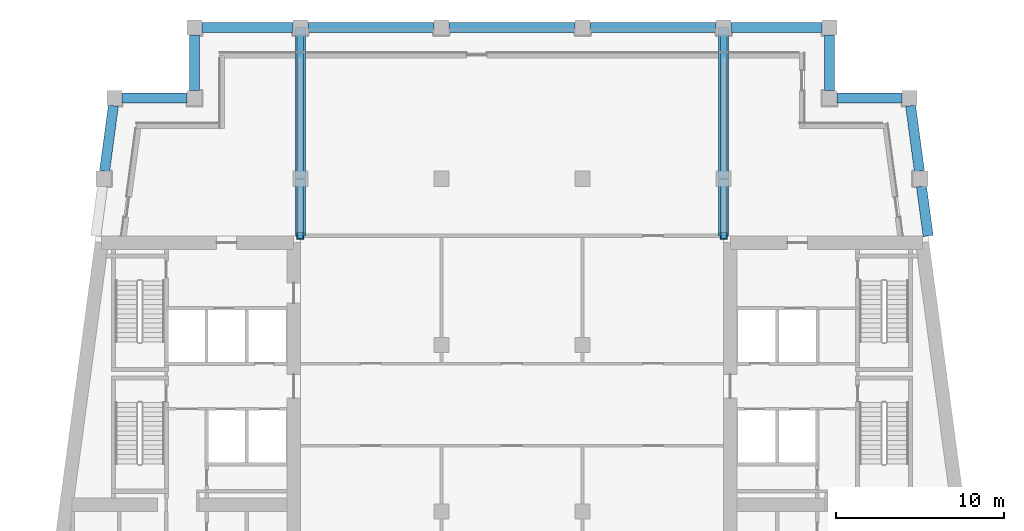
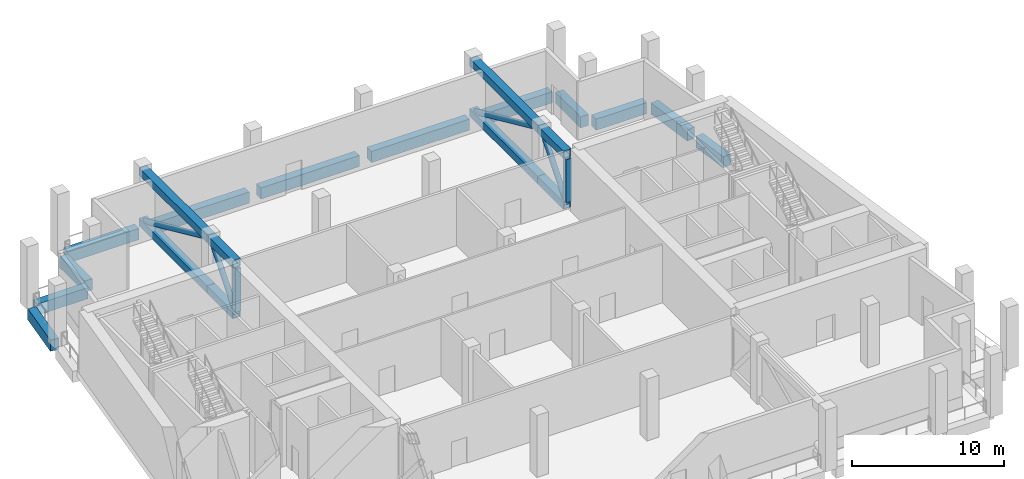
# One storey, part 3 of 11: 14 members, 12 beams.
"""IFC4 building model written with IfcOpenShell, lengths in metres."""

from ifc_helpers import new_model, si_unit, direction, frame, origin, origin_2d, place, context, subcontext, project, spatial, rectangle, hollow_rectangle, hollow_circle, extrude, material, material_profile, profile_set, type_object, element, save


model = new_model("IFC4")

# Units and contexts
model_context = context("Model", 3, precision=1e-05, world=origin(), true_north=direction((0.0, 1.0)))
body_context = subcontext(model_context, "Body", "Model", "MODEL_VIEW")
ifc_project = project(units=[si_unit("LENGTHUNIT", "METRE"), si_unit("AREAUNIT", "SQUARE_METRE"), si_unit("VOLUMEUNIT", "CUBIC_METRE"), si_unit("PLANEANGLEUNIT", "RADIAN"), si_unit("MASSUNIT", "GRAM", prefix="KILO")], contexts=[model_context])

# Site, building, storey
site_placement = place(None, origin())
site = spatial("IfcSite", under=ifc_project, at=site_placement, CompositionType="ELEMENT")
building_placement = place(site_placement, origin())
building = spatial("IfcBuilding", under=site, at=building_placement, Name="Candeia Pilgrim Tower and Theatre", CompositionType="ELEMENT")
storey_placement = place(building_placement, frame((0.0, 0.0, 254.0)))
storey = spatial("IfcBuildingStorey", under=building, at=storey_placement, Name="L61", CompositionType="ELEMENT", Elevation=254.0)

# Members
ifc_material_1 = material(Name="Structural steel ASTM A572 Grade 50", Category="steel")
ifc_material_profile_1 = material_profile(ifc_material_1, hollow_rectangle(XDim=0.39990234375, YDim=0.39990234375, WallThickness=0.02490234375, at=origin_2d()))
ifc_profile_set_1 = profile_set([ifc_material_profile_1], Name="Structural steel ASTM A572 Grade 50")
member_type_1 = type_object("IfcMemberType", Name="BOX 400x400x25 post", PredefinedType="POST", material=ifc_profile_set_1)
for number, where, z_axis, x_axis, name in (
    (1, (100.800048828125, 132.39990234375, 0.60009765625), (0.0, 0.0, 1.0), (1.0, 0.0, 0.0), "Outrigger truss post TO2NL61"),
    (2, (126.0, 132.39990234375, 0.60009765625), (0.0, 0.0, 1.0), (1.0, 0.0, 0.0), "Outrigger truss post TO5NL61"),
):
    element("IfcMember", number, at=place(storey_placement, frame(where, z_axis=z_axis, x_axis=x_axis)), inside=storey, type_object=member_type_1, Name=name, PredefinedType="POST", context=body_context, shape_type="SweptSolid", body=[
        extrude(hollow_rectangle(XDim=0.39990234375, YDim=0.39990234375, WallThickness=0.02490234375, at=origin_2d()), origin(), (0.0, 0.0, 1.0), 3.47998046875),
    ])
ifc_material_profile_2 = material_profile(ifc_material_1, hollow_rectangle(XDim=0.60009765625, YDim=0.60009765625, WallThickness=0.0400390625, at=origin_2d()))
ifc_profile_set_2 = profile_set([ifc_material_profile_2], Name="Structural steel ASTM A572 Grade 50")
member_type_2 = type_object("IfcMemberType", Name="BOX 600x600x40 chord", PredefinedType="CHORD", material=ifc_profile_set_2)
for number, where, z_axis, x_axis, name in (
    (3, (100.800048828125, 132.39990234375, 0.300048828125), (0.0, 1.0, 0.0), (-1.0, 0.0, 0.0), "Outrigger truss bottom chord TO2NL61"),
    (4, (100.800048828125, 132.39990234375, 4.3798828125), (0.0, 1.0, 0.0), (-1.0, 0.0, 0.0), "Outrigger truss top chord TO2NL61"),
):
    element("IfcMember", number, at=place(storey_placement, frame(where, z_axis=z_axis, x_axis=x_axis)), inside=storey, type_object=member_type_2, Name=name, PredefinedType="CHORD", context=body_context, shape_type="SweptSolid", body=[
        extrude(hollow_rectangle(XDim=0.60009765625, YDim=0.60009765625, WallThickness=0.0400390625, at=origin_2d()), origin(), (0.0, 0.0, 1.0), 3.400146484375),
    ])
for number, where, z_axis, x_axis, name in (
    (5, (100.800048828125, 135.800048828125, 0.300048828125), (0.0, 1.0, 0.0), (-1.0, 0.0, 0.0), "Outrigger truss bottom chord TO2NL61"),
    (6, (100.800048828125, 135.800048828125, 4.3798828125), (0.0, 1.0, 0.0), (-1.0, 0.0, 0.0), "Outrigger truss top chord TO2NL61"),
):
    element("IfcMember", number, at=place(storey_placement, frame(where, z_axis=z_axis, x_axis=x_axis)), inside=storey, type_object=member_type_2, Name=name, PredefinedType="CHORD", context=body_context, shape_type="SweptSolid", body=[
        extrude(hollow_rectangle(XDim=0.60009765625, YDim=0.60009765625, WallThickness=0.0400390625, at=origin_2d()), origin(), (0.0, 0.0, 1.0), 9.0),
    ])
for number, where, z_axis, x_axis, name in (
    (7, (126.0, 132.39990234375, 0.300048828125), (0.0, 1.0, 0.0), (-1.0, 0.0, 0.0), "Outrigger truss bottom chord TO5NL61"),
    (8, (126.0, 132.39990234375, 4.3798828125), (0.0, 1.0, 0.0), (-1.0, 0.0, 0.0), "Outrigger truss top chord TO5NL61"),
):
    element("IfcMember", number, at=place(storey_placement, frame(where, z_axis=z_axis, x_axis=x_axis)), inside=storey, type_object=member_type_2, Name=name, PredefinedType="CHORD", context=body_context, shape_type="SweptSolid", body=[
        extrude(hollow_rectangle(XDim=0.60009765625, YDim=0.60009765625, WallThickness=0.0400390625, at=origin_2d()), origin(), (0.0, 0.0, 1.0), 3.400146484375),
    ])
for number, where, z_axis, x_axis, name in (
    (9, (126.0, 135.800048828125, 0.300048828125), (0.0, 1.0, 0.0), (-1.0, 0.0, 0.0), "Outrigger truss bottom chord TO5NL61"),
    (10, (126.0, 135.800048828125, 4.3798828125), (0.0, 1.0, 0.0), (-1.0, 0.0, 0.0), "Outrigger truss top chord TO5NL61"),
):
    element("IfcMember", number, at=place(storey_placement, frame(where, z_axis=z_axis, x_axis=x_axis)), inside=storey, type_object=member_type_2, Name=name, PredefinedType="CHORD", context=body_context, shape_type="SweptSolid", body=[
        extrude(hollow_rectangle(XDim=0.60009765625, YDim=0.60009765625, WallThickness=0.0400390625, at=origin_2d()), origin(), (0.0, 0.0, 1.0), 9.0),
    ])
ifc_material_profile_3 = material_profile(ifc_material_1, hollow_circle(Radius=0.203125, WallThickness=0.01611328125, at=origin_2d()))
ifc_profile_set_3 = profile_set([ifc_material_profile_3], Name="Structural steel ASTM A572 Grade 50")
member_type_3 = type_object("IfcMemberType", Name="CHS 406x16 brace", PredefinedType="BRACE", material=ifc_profile_set_3)
member_1_placement = place(storey_placement, frame((100.800048828125, 132.39990234375, 0.300048828125), z_axis=(0.0, 0.640216050194, 0.768194903051), x_axis=(-1.0, 0.0, 0.0)))
element("IfcMember", 11, at=member_1_placement, inside=storey, type_object=member_type_3, Name="Outrigger truss diagonal TO2NL61", PredefinedType="BRACE", context=body_context, shape_type="SweptSolid", body=[
    extrude(hollow_circle(Radius=0.203125, WallThickness=0.01611328125, at=origin_2d()), origin(), (0.0, 0.0, 1.0), 5.31103515625),
])
member_2_placement = place(storey_placement, frame((100.800048828125, 144.800048828125, 0.300048828125), z_axis=(0.0, -0.910788217597, 0.41287385808), x_axis=(1.0, 0.0, 0.0)))
element("IfcMember", 12, at=member_2_placement, inside=storey, type_object=member_type_3, Name="Outrigger truss diagonal TO2NL61", PredefinedType="BRACE", context=body_context, shape_type="SweptSolid", body=[
    extrude(hollow_circle(Radius=0.203125, WallThickness=0.01611328125, at=origin_2d()), origin(), (0.0, 0.0, 1.0), 9.881591796875),
])
member_3_placement = place(storey_placement, frame((126.0, 132.39990234375, 0.300048828125), z_axis=(0.0, 0.640216050194, 0.768194903051), x_axis=(-1.0, 0.0, 0.0)))
element("IfcMember", 13, at=member_3_placement, inside=storey, type_object=member_type_3, Name="Outrigger truss diagonal TO5NL61", PredefinedType="BRACE", context=body_context, shape_type="SweptSolid", body=[
    extrude(hollow_circle(Radius=0.203125, WallThickness=0.01611328125, at=origin_2d()), origin(), (0.0, 0.0, 1.0), 5.31103515625),
])
member_4_placement = place(storey_placement, frame((126.0, 144.800048828125, 0.300048828125), z_axis=(0.0, -0.910788217597, 0.41287385808), x_axis=(1.0, 0.0, 0.0)))
element("IfcMember", 14, at=member_4_placement, inside=storey, type_object=member_type_3, Name="Outrigger truss diagonal TO5NL61", PredefinedType="BRACE", context=body_context, shape_type="SweptSolid", body=[
    extrude(hollow_circle(Radius=0.203125, WallThickness=0.01611328125, at=origin_2d()), origin(), (0.0, 0.0, 1.0), 9.881591796875),
])

# Beams
ifc_material_2 = material(Name="Concrete C50/60", Category="concrete")
ifc_material_profile_4 = material_profile(ifc_material_2, rectangle(XDim=0.60009765625, YDim=0.89990234375, at=origin_2d()))
ifc_profile_set_4 = profile_set([ifc_material_profile_4], Name="Concrete C50/60")
beam_type = type_object("IfcBeamType", Name="RC 600x900 C50/60", PredefinedType="BEAM", material=ifc_profile_set_4)
beam_1_placement = place(storey_placement, frame((138.169189453125, 132.39990234375, -0.449951171875), z_axis=(-0.133356242983, 0.991068167412, 0.0), x_axis=(-0.991068167412, -0.133356242983, 0.0)))
element("IfcBeam", 15, at=beam_1_placement, inside=storey, type_object=beam_type, Name="Spandrel beam L61-12", PredefinedType="BEAM", context=body_context, shape_type="SweptSolid", body=[
    extrude(rectangle(XDim=0.60009765625, YDim=0.89990234375, at=origin_2d()), origin(), (0.0, 0.0, 1.0), 2.976806640625),
])
beam_2_placement = place(storey_placement, frame((137.65087890625, 136.25, -0.449951171875), z_axis=(-0.133390918184, 0.991063500965, 0.0), x_axis=(-0.991063500965, -0.133390918184, 0.0)))
element("IfcBeam", 16, at=beam_2_placement, inside=storey, type_object=beam_type, Name="Spandrel beam L61-13", PredefinedType="BEAM", context=body_context, shape_type="SweptSolid", body=[
    extrude(rectangle(XDim=0.60009765625, YDim=0.89990234375, at=origin_2d()), origin(), (0.0, 0.0, 1.0), 3.93505859375),
])
beam_3_placement = place(storey_placement, frame((136.615478515625, 140.60009765625, -0.449951171875), z_axis=(-1.0, 0.0, 0.0), x_axis=(0.0, -1.0, 0.0)))
element("IfcBeam", 17, at=beam_3_placement, inside=storey, type_object=beam_type, Name="Spandrel beam L61-14", PredefinedType="BEAM", context=body_context, shape_type="SweptSolid", body=[
    extrude(rectangle(XDim=0.60009765625, YDim=0.89990234375, at=origin_2d()), origin(), (0.0, 0.0, 1.0), 3.865478515625),
])
beam_4_placement = place(storey_placement, frame((132.300048828125, 141.050048828125, -0.449951171875), z_axis=(0.0, 1.0, 0.0), x_axis=(-1.0, 0.0, 0.0)))
element("IfcBeam", 18, at=beam_4_placement, inside=storey, type_object=beam_type, Name="Spandrel beam L61-15", PredefinedType="BEAM", context=body_context, shape_type="SweptSolid", body=[
    extrude(rectangle(XDim=0.60009765625, YDim=0.89990234375, at=origin_2d()), origin(), (0.0, 0.0, 1.0), 3.300048828125),
])
beam_5_placement = place(storey_placement, frame((131.85009765625, 144.800048828125, -0.449951171875), z_axis=(-1.0, 0.0, 0.0), x_axis=(0.0, -1.0, 0.0)))
element("IfcBeam", 19, at=beam_5_placement, inside=storey, type_object=beam_type, Name="Spandrel beam L61-16", PredefinedType="BEAM", context=body_context, shape_type="SweptSolid", body=[
    extrude(rectangle(XDim=0.60009765625, YDim=0.89990234375, at=origin_2d()), origin(), (0.0, 0.0, 1.0), 5.400146484375),
])
for number, where, z_axis, x_axis, name in (
    (20, (125.550048828125, 144.800048828125, -0.449951171875), (-1.0, 0.0, 0.0), (0.0, -1.0, 0.0), "Spandrel beam L61-17"),
    (21, (117.14990234375, 144.800048828125, -0.449951171875), (-1.0, 0.0, 0.0), (0.0, -1.0, 0.0), "Spandrel beam L61-18"),
    (22, (108.75, 144.800048828125, -0.449951171875), (-1.0, 0.0, 0.0), (0.0, -1.0, 0.0), "Spandrel beam L61-19"),
):
    element("IfcBeam", number, at=place(storey_placement, frame(where, z_axis=z_axis, x_axis=x_axis)), inside=storey, type_object=beam_type, Name=name, PredefinedType="BEAM", context=body_context, shape_type="SweptSolid", body=[
        extrude(rectangle(XDim=0.60009765625, YDim=0.89990234375, at=origin_2d()), origin(), (0.0, 0.0, 1.0), 7.5),
    ])
beam_6_placement = place(storey_placement, frame((100.35009765625, 144.800048828125, -0.449951171875), z_axis=(-1.0, 0.0, 0.0), x_axis=(0.0, -1.0, 0.0)))
element("IfcBeam", 23, at=beam_6_placement, inside=storey, type_object=beam_type, Name="Spandrel beam L61-20", PredefinedType="BEAM", context=body_context, shape_type="SweptSolid", body=[
    extrude(rectangle(XDim=0.60009765625, YDim=0.89990234375, at=origin_2d()), origin(), (0.0, 0.0, 1.0), 5.400146484375),
])
beam_7_placement = place(storey_placement, frame((94.5, 144.35009765625, -0.449951171875), z_axis=(0.0, -1.0, 0.0), x_axis=(1.0, 0.0, 0.0)))
element("IfcBeam", 24, at=beam_7_placement, inside=storey, type_object=beam_type, Name="Spandrel beam L61-21", PredefinedType="BEAM", context=body_context, shape_type="SweptSolid", body=[
    extrude(rectangle(XDim=0.60009765625, YDim=0.89990234375, at=origin_2d()), origin(), (0.0, 0.0, 1.0), 3.300048828125),
])
beam_8_placement = place(storey_placement, frame((94.050048828125, 140.60009765625, -0.449951171875), z_axis=(-1.0, 0.0, 0.0), x_axis=(0.0, -1.0, 0.0)))
element("IfcBeam", 25, at=beam_8_placement, inside=storey, type_object=beam_type, Name="Spandrel beam L61-22", PredefinedType="BEAM", context=body_context, shape_type="SweptSolid", body=[
    extrude(rectangle(XDim=0.60009765625, YDim=0.89990234375, at=origin_2d()), origin(), (0.0, 0.0, 1.0), 3.865478515625),
])
beam_9_placement = place(storey_placement, frame((89.674072265625, 140.14990234375, -0.449951171875), z_axis=(-0.133451855788, -0.99105529724, 0.0), x_axis=(0.99105529724, -0.133451855788, 0.0)))
element("IfcBeam", 26, at=beam_9_placement, inside=storey, type_object=beam_type, Name="Spandrel beam L61-23", PredefinedType="BEAM", context=body_context, shape_type="SweptSolid", body=[
    extrude(rectangle(XDim=0.60009765625, YDim=0.89990234375, at=origin_2d()), origin(), (0.0, 0.0, 1.0), 3.93505859375),
])

save(model, "model.ifc")
